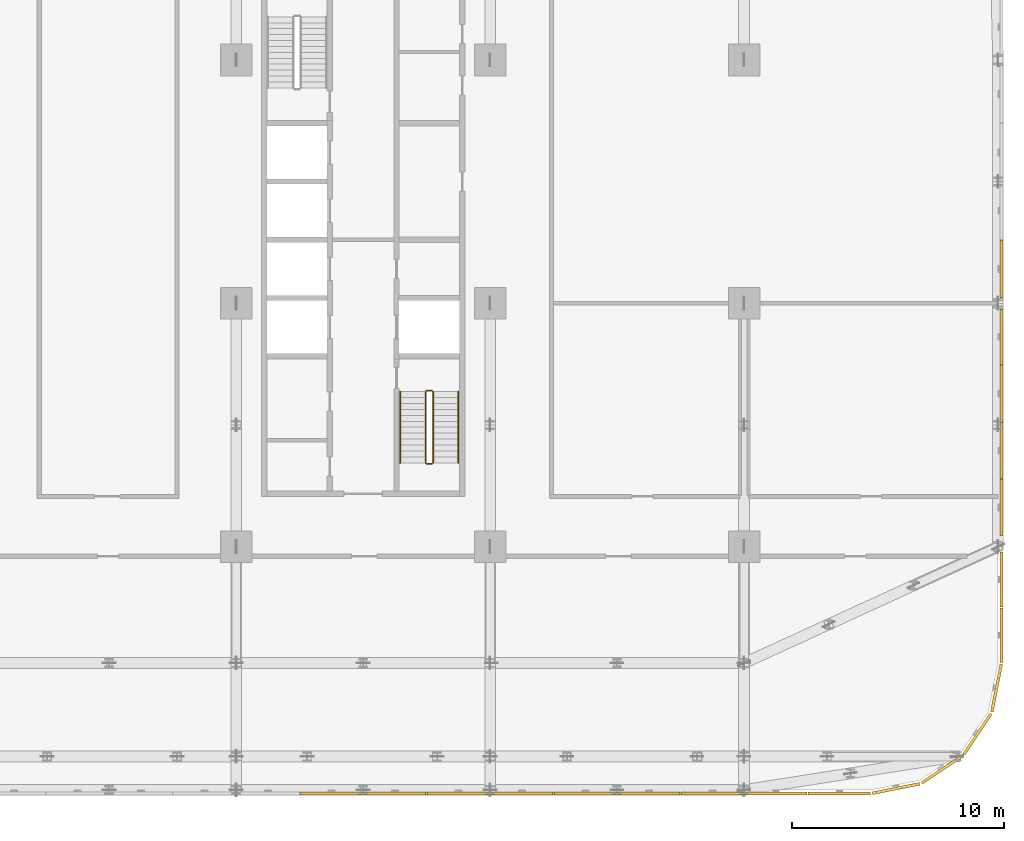
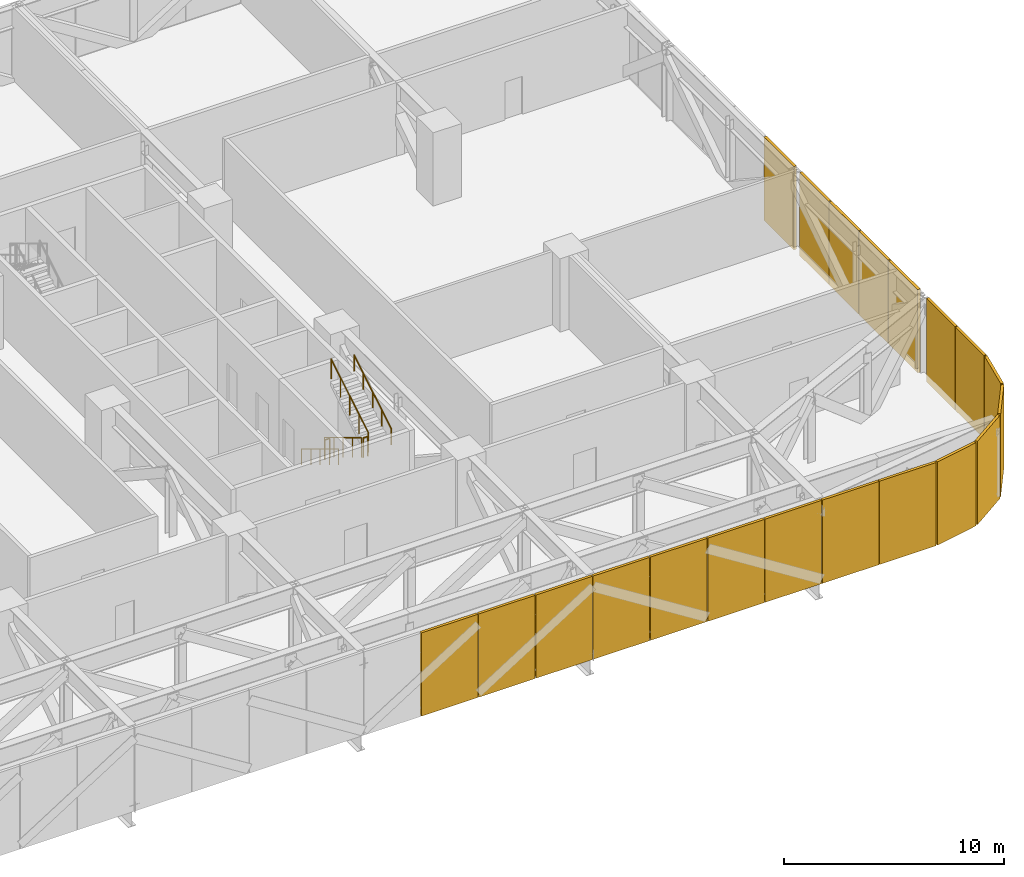
# One storey, part 25 of 26: 20 coverings, 6 railings.
"""IFC4 building model written with IfcOpenShell, lengths in metres."""

from ifc_helpers import new_model, si_unit, direction, frame, origin, origin_2d, place, context, subcontext, project, spatial, rectangle, circle, extrude, material, type_object, element, save


model = new_model("IFC4")

# Units and contexts
model_context = context("Model", 3, precision=1e-05, world=origin(), true_north=direction((0.0, 1.0)))
body_context = subcontext(model_context, "Body", "Model", "MODEL_VIEW")
ifc_project = project(units=[si_unit("LENGTHUNIT", "METRE"), si_unit("AREAUNIT", "SQUARE_METRE"), si_unit("VOLUMEUNIT", "CUBIC_METRE"), si_unit("PLANEANGLEUNIT", "RADIAN"), si_unit("MASSUNIT", "GRAM", prefix="KILO")], contexts=[model_context])

# Site, building, storey
site_placement = place(None, origin())
site = spatial("IfcSite", under=ifc_project, at=site_placement, CompositionType="ELEMENT")
building_placement = place(site_placement, origin())
building = spatial("IfcBuilding", under=site, at=building_placement, Name="Mahtab Terrace Research Tower", CompositionType="ELEMENT")
storey_placement = place(building_placement, frame((0.0, 0.0, 80.39990234375)))
storey = spatial("IfcBuildingStorey", under=building, at=storey_placement, Name="L18", CompositionType="ELEMENT", Elevation=80.39990234375)

# Coverings
ifc_material_1 = material(Name="Natural anodised aluminium", Category="aluminium")
covering_type = type_object("IfcCoveringType", Name="Plant storey louvre bay", PredefinedType="CLADDING", material=ifc_material_1)
for number, where, z_axis, x_axis, name in (
    (1, (22.5, -23.159912109375, -0.5498046875), (0.0, 0.0, 1.0), (1.0, 0.0, 0.0), "Louvre bay L18 74"),
    (2, (25.5, -23.159912109375, -0.5498046875), (0.0, 0.0, 1.0), (1.0, 0.0, 0.0), "Louvre bay L18 75"),
    (3, (28.5, -23.159912109375, -0.5498046875), (0.0, 0.0, 1.0), (1.0, 0.0, 0.0), "Louvre bay L18 76"),
    (4, (31.5, -23.159912109375, -0.5498046875), (0.0, 0.0, 1.0), (1.0, 0.0, 0.0), "Louvre bay L18 77"),
    (5, (34.5, -23.159912109375, -0.5498046875), (0.0, 0.0, 1.0), (1.0, 0.0, 0.0), "Louvre bay L18 78"),
    (6, (37.5, -23.159912109375, -0.5498046875), (0.0, 0.0, 1.0), (1.0, 0.0, 0.0), "Louvre bay L18 79"),
    (7, (40.5, -23.159912109375, -0.5498046875), (0.0, 0.0, 1.0), (1.0, 0.0, 0.0), "Louvre bay L18 80"),
    (8, (43.5, -23.159912109375, -0.5498046875), (0.0, 0.0, 1.0), (1.0, 0.0, 0.0), "Louvre bay L18 81"),
    (9, (46.5, -23.159912109375, -0.5498046875), (0.0, 0.0, 1.0), (1.0, 0.0, 0.0), "Louvre bay L18 82"),
):
    element("IfcCovering", number, at=place(storey_placement, frame(where, z_axis=z_axis, x_axis=x_axis)), inside=storey, type_object=covering_type, Name=name, PredefinedType="CLADDING", context=body_context, shape_type="SweptSolid", body=[
        extrude(rectangle(XDim=2.9599609375, YDim=0.139892578125, at=origin_2d()), origin(), (0.0, 0.0, 1.0), 4.610107421875),
    ])
for number, where, z_axis, x_axis, name in (
    (10, (49.17919921875, -22.928466796875, -0.5498046875), (0.0, 0.0, 1.0), (0.980760981187, 0.195212442692, 0.0), "Louvre bay L18 83"),
    (11, (51.3583984375, -22.026123046875, -0.5498046875), (0.0, 0.0, 1.0), (0.831655794326, 0.555291490808, 0.0), "Louvre bay L18 84"),
    (12, (53.026123046875, -20.3583984375, -0.5498046875), (0.0, 0.0, 1.0), (0.555291490808, 0.831655794326, 0.0), "Louvre bay L18 85"),
    (13, (53.928466796875, -18.17919921875, -0.5498046875), (0.0, 0.0, 1.0), (0.195212442692, 0.980760981187, 0.0), "Louvre bay L18 86"),
):
    element("IfcCovering", number, at=place(storey_placement, frame(where, z_axis=z_axis, x_axis=x_axis)), inside=storey, type_object=covering_type, Name=name, PredefinedType="CLADDING", context=body_context, shape_type="SweptSolid", body=[
        extrude(rectangle(XDim=2.301025390625, YDim=0.139892578125, at=origin_2d()), origin(), (0.0, 0.0, 1.0), 4.610107421875),
    ])
for number, where, z_axis, x_axis, name in (
    (14, (54.159912109375, -15.6845703125, -0.5498046875), (0.0, 0.0, 1.0), (0.0, 1.0, 0.0), "Louvre bay L18 87"),
    (15, (54.159912109375, -13.053466796875, -0.5498046875), (0.0, 0.0, 1.0), (0.0, 1.0, 0.0), "Louvre bay L18 88"),
):
    element("IfcCovering", number, at=place(storey_placement, frame(where, z_axis=z_axis, x_axis=x_axis)), inside=storey, type_object=covering_type, Name=name, PredefinedType="CLADDING", context=body_context, shape_type="SweptSolid", body=[
        extrude(rectangle(XDim=2.591064453125, YDim=0.139892578125, at=origin_2d()), origin(), (0.0, 0.0, 1.0), 4.610107421875),
    ])
for number, where, z_axis, x_axis, name in (
    (16, (54.159912109375, -9.65478515625, -0.5498046875), (0.0, 0.0, 1.0), (0.0, 1.0, 0.0), "Louvre bay L18 89"),
    (17, (54.159912109375, -6.96435546875, -0.5498046875), (0.0, 0.0, 1.0), (0.0, 1.0, 0.0), "Louvre bay L18 90"),
    (18, (54.159912109375, -4.273681640625, -0.5498046875), (0.0, 0.0, 1.0), (0.0, 1.0, 0.0), "Louvre bay L18 91"),
    (19, (54.159912109375, -1.583251953125, -0.5498046875), (0.0, 0.0, 1.0), (0.0, 1.0, 0.0), "Louvre bay L18 92"),
):
    element("IfcCovering", number, at=place(storey_placement, frame(where, z_axis=z_axis, x_axis=x_axis)), inside=storey, type_object=covering_type, Name=name, PredefinedType="CLADDING", context=body_context, shape_type="SweptSolid", body=[
        extrude(rectangle(XDim=2.650390625, YDim=0.139892578125, at=origin_2d()), origin(), (0.0, 0.0, 1.0), 4.610107421875),
    ])
covering_placement = place(storey_placement, frame((54.159912109375, 1.615966796875, -0.5498046875), z_axis=(0.0, 0.0, 1.0), x_axis=(0.0, 1.0, 0.0)))
element("IfcCovering", 20, at=covering_placement, inside=storey, type_object=covering_type, Name="Louvre bay L18 93", PredefinedType="CLADDING", context=body_context, shape_type="SweptSolid", body=[
    extrude(rectangle(XDim=2.716064453125, YDim=0.139892578125, at=origin_2d()), origin(), (0.0, 0.0, 1.0), 4.610107421875),
])

# Railings
ifc_material_2 = material(Name="Stainless steel AISI 304", Category="steel")
railing_type_1 = type_object("IfcRailingType", Name="Stair guard 1100", PredefinedType="GUARDRAIL", material=ifc_material_2)
railing_1_placement = place(storey_placement, frame((26.949951171875, -4.175048828125, 0.16943359375)))
element("IfcRailing", 21, at=railing_1_placement, inside=storey, type_object=railing_type_1, Name="L18 ST4 stair guard 1", PredefinedType="GUARDRAIL", context=body_context, shape_type="SweptSolid", body=[
    extrude(circle(Radius=0.02392578125, at=origin_2d()), frame((0.0, 0.0, 1.076171875), z_axis=(0.0, -0.855820338506, 0.51727318527), x_axis=(1.0, 0.0, 0.0)), (0.0, 0.0, 1.0), 3.92578125),
    extrude(circle(Radius=0.02099609375, at=origin_2d()), origin(), (0.0, 0.0, 1.0), 1.052001953125),
    extrude(circle(Radius=0.02099609375, at=origin_2d()), frame((0.0, -0.83984375, 0.5078125)), (0.0, 0.0, 1.0), 1.052001953125),
    extrude(circle(Radius=0.02099609375, at=origin_2d()), frame((0.0, -1.679931640625, 1.015380859375)), (0.0, 0.0, 1.0), 1.052001953125),
    extrude(circle(Radius=0.02099609375, at=origin_2d()), frame((0.0, -2.52001953125, 1.52294921875)), (0.0, 0.0, 1.0), 1.052001953125),
    extrude(circle(Radius=0.02099609375, at=origin_2d()), frame((0.0, -3.35986328125, 2.03076171875)), (0.0, 0.0, 1.0), 1.052001953125),
])
railing_2_placement = place(storey_placement, frame((27.0, -7.5849609375, 2.2001953125)))
element("IfcRailing", 22, at=railing_2_placement, inside=storey, type_object=railing_type_1, Name="L18 ST4 stair guard 2", PredefinedType="GUARDRAIL", context=body_context, shape_type="SweptSolid", body=[
    extrude(circle(Radius=0.02392578125, at=origin_2d()), frame((0.0, 0.0, 1.076171875), z_axis=(1.0, 0.0, 0.0), x_axis=(0.0, 1.0, 0.0)), (0.0, 0.0, 1.0), 0.25),
    extrude(circle(Radius=0.02099609375, at=origin_2d()), origin(), (0.0, 0.0, 1.0), 1.052001953125),
    extrude(circle(Radius=0.02099609375, at=origin_2d()), frame((0.25, 0.0, 0.0)), (0.0, 0.0, 1.0), 1.052001953125),
])
railing_3_placement = place(storey_placement, frame((27.300048828125, -7.534912109375, 2.369384765625)))
element("IfcRailing", 23, at=railing_3_placement, inside=storey, type_object=railing_type_1, Name="L18 ST4 stair guard 3", PredefinedType="GUARDRAIL", context=body_context, shape_type="SweptSolid", body=[
    extrude(circle(Radius=0.02392578125, at=origin_2d()), frame((0.0, 0.0, 1.076171875), z_axis=(0.0, 0.855820338506, 0.51727318527), x_axis=(-1.0, 0.0, 0.0)), (0.0, 0.0, 1.0), 3.92578125),
    extrude(circle(Radius=0.02099609375, at=origin_2d()), origin(), (0.0, 0.0, 1.0), 1.052001953125),
    extrude(circle(Radius=0.02099609375, at=origin_2d()), frame((0.0, 0.83984375, 0.5078125)), (0.0, 0.0, 1.0), 1.052001953125),
    extrude(circle(Radius=0.02099609375, at=origin_2d()), frame((0.0, 1.679931640625, 1.015380859375)), (0.0, 0.0, 1.0), 1.052001953125),
    extrude(circle(Radius=0.02099609375, at=origin_2d()), frame((0.0, 2.52001953125, 1.52294921875)), (0.0, 0.0, 1.0), 1.052001953125),
    extrude(circle(Radius=0.02099609375, at=origin_2d()), frame((0.0, 3.35986328125, 2.03076171875)), (0.0, 0.0, 1.0), 1.052001953125),
])
railing_4_placement = place(storey_placement, frame((27.0, -4.125, 0.0)))
element("IfcRailing", 24, at=railing_4_placement, inside=storey, type_object=railing_type_1, Name="L18 ST4 stair guard 4", PredefinedType="GUARDRAIL", context=body_context, shape_type="SweptSolid", body=[
    extrude(circle(Radius=0.02392578125, at=origin_2d()), frame((0.0, 0.0, 1.076171875), z_axis=(1.0, 0.0, 0.0), x_axis=(0.0, 1.0, 0.0)), (0.0, 0.0, 1.0), 0.25),
    extrude(circle(Radius=0.02099609375, at=origin_2d()), origin(), (0.0, 0.0, 1.0), 1.052001953125),
    extrude(circle(Radius=0.02099609375, at=origin_2d()), frame((0.25, 0.0, 0.0)), (0.0, 0.0, 1.0), 1.052001953125),
])
railing_type_2 = type_object("IfcRailingType", Name="Stair handrail 900", PredefinedType="HANDRAIL", material=ifc_material_2)
railing_5_placement = place(storey_placement, frame((25.75, -4.175048828125, 0.16943359375)))
element("IfcRailing", 25, at=railing_5_placement, inside=storey, type_object=railing_type_2, Name="L18 ST4 stair handrail 1", PredefinedType="HANDRAIL", context=body_context, shape_type="SweptSolid", body=[
    extrude(circle(Radius=0.02392578125, at=origin_2d()), frame((0.0, 0.0, 0.8759765625), z_axis=(0.0, -0.855820338506, 0.51727318527), x_axis=(1.0, 0.0, 0.0)), (0.0, 0.0, 1.0), 3.92578125),
    extrude(circle(Radius=0.02099609375, at=origin_2d()), origin(), (0.0, 0.0, 1.0), 0.851806640625),
    extrude(circle(Radius=0.02099609375, at=origin_2d()), frame((0.0, -0.83984375, 0.5078125)), (0.0, 0.0, 1.0), 0.851806640625),
    extrude(circle(Radius=0.02099609375, at=origin_2d()), frame((0.0, -1.679931640625, 1.015380859375)), (0.0, 0.0, 1.0), 0.851806640625),
    extrude(circle(Radius=0.02099609375, at=origin_2d()), frame((0.0, -2.52001953125, 1.52294921875)), (0.0, 0.0, 1.0), 0.851806640625),
    extrude(circle(Radius=0.02099609375, at=origin_2d()), frame((0.0, -3.35986328125, 2.03076171875)), (0.0, 0.0, 1.0), 0.851806640625),
])
railing_6_placement = place(storey_placement, frame((28.5, -7.534912109375, 2.369384765625)))
element("IfcRailing", 26, at=railing_6_placement, inside=storey, type_object=railing_type_2, Name="L18 ST4 stair handrail 2", PredefinedType="HANDRAIL", context=body_context, shape_type="SweptSolid", body=[
    extrude(circle(Radius=0.02392578125, at=origin_2d()), frame((0.0, 0.0, 0.8759765625), z_axis=(0.0, 0.855820338506, 0.51727318527), x_axis=(-1.0, 0.0, 0.0)), (0.0, 0.0, 1.0), 3.92578125),
    extrude(circle(Radius=0.02099609375, at=origin_2d()), origin(), (0.0, 0.0, 1.0), 0.851806640625),
    extrude(circle(Radius=0.02099609375, at=origin_2d()), frame((0.0, 0.83984375, 0.5078125)), (0.0, 0.0, 1.0), 0.851806640625),
    extrude(circle(Radius=0.02099609375, at=origin_2d()), frame((0.0, 1.679931640625, 1.015380859375)), (0.0, 0.0, 1.0), 0.851806640625),
    extrude(circle(Radius=0.02099609375, at=origin_2d()), frame((0.0, 2.52001953125, 1.52294921875)), (0.0, 0.0, 1.0), 0.851806640625),
    extrude(circle(Radius=0.02099609375, at=origin_2d()), frame((0.0, 3.35986328125, 2.03076171875)), (0.0, 0.0, 1.0), 0.851806640625),
])

save(model, "model.ifc")
